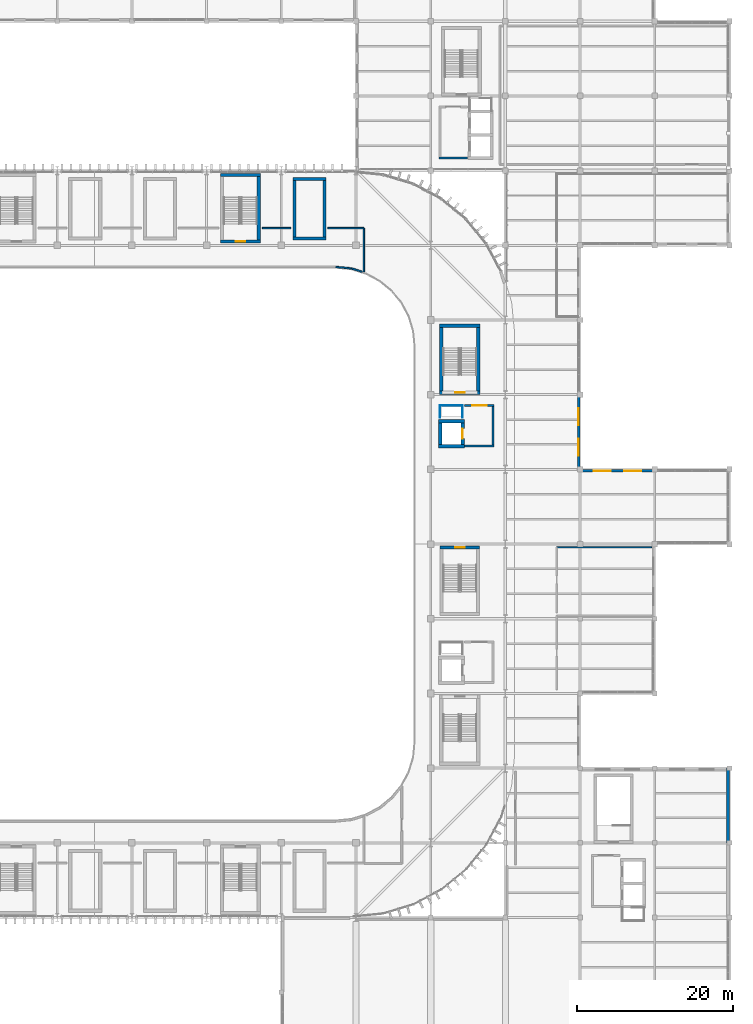
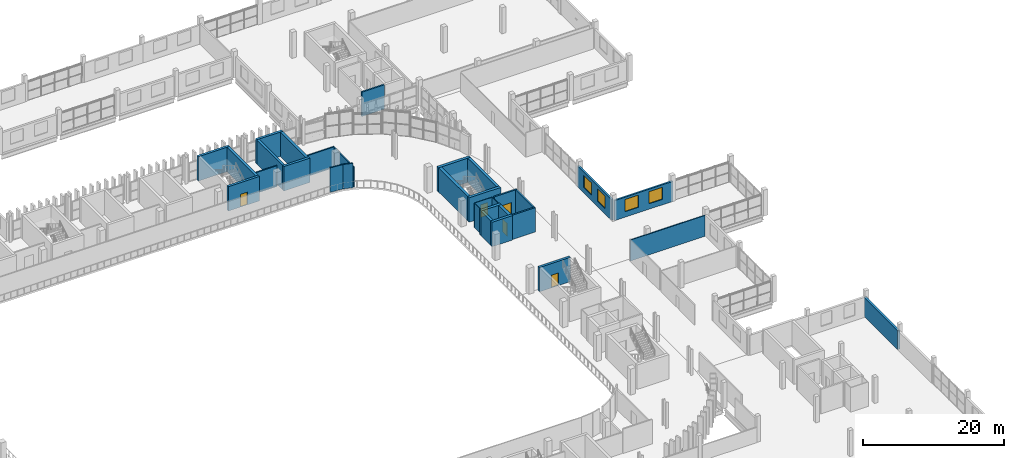
# One storey, part 62 of 92: 32 walls, 5 doors, 4 windows, 9 openings.
"""IFC4 building model written with IfcOpenShell, lengths in metres."""

from ifc_helpers import new_model, si_unit, direction, frame, frame_2d, origin, place, context, subcontext, project, spatial, rectangle, extrude, material, layer, layer_set, type_object, element, fill, save


model = new_model("IFC4")

# Units and contexts
model_context = context("Model", 3, precision=1e-05, world=origin(), true_north=direction((0.0, 1.0)))
body_context = subcontext(model_context, "Body", "Model", "MODEL_VIEW")
ifc_project = project(units=[si_unit("LENGTHUNIT", "METRE"), si_unit("AREAUNIT", "SQUARE_METRE"), si_unit("VOLUMEUNIT", "CUBIC_METRE"), si_unit("PLANEANGLEUNIT", "RADIAN"), si_unit("MASSUNIT", "GRAM", prefix="KILO")], contexts=[model_context])

# Site, building, storey
site_placement = place(None, origin())
site = spatial("IfcSite", under=ifc_project, at=site_placement, CompositionType="ELEMENT")
building_placement = place(site_placement, origin())
building = spatial("IfcBuilding", under=site, at=building_placement, Name="Caelomonte Colonnade Arena", CompositionType="ELEMENT")
storey_placement = place(building_placement, frame((0.0, 0.0, 9.60009765625)))
storey = spatial("IfcBuildingStorey", under=building, at=storey_placement, Name="L02", CompositionType="ELEMENT", Elevation=9.60009765625)

# Wall, openings, windows
ifc_material_1 = material(Name="Precast concrete C40/50", Category="concrete")
ifc_layer_1 = layer(ifc_material_1, 0.2900390625)
ifc_layer_set_1 = layer_set([ifc_layer_1], Name="Precast concrete C40/50")
wall_type_1 = type_object("IfcWallType", Name="ENV-WL-EXT29", PredefinedType="SOLIDWALL", material=ifc_layer_set_1)
wall_1_placement = place(storey_placement, frame((182.39990234375, 76.6201171875, 0.0), z_axis=(0.0, 0.0, 1.0), x_axis=(-1.0, 0.0, 0.0)))
wall_1 = element("IfcWall", 1, at=wall_1_placement, inside=storey, type_object=wall_type_1, Name="L02 exterior wall EW-L02-0252", PredefinedType="SOLIDWALL", context=body_context, shape_type="SweptSolid", body=[
    extrude(rectangle(XDim=9.599853515625, YDim=0.2900390625, at=frame_2d((4.7998046875, 0.0))), origin(), (0.0, 0.0, 1.0), 3.465576171875),
])
opening_1_placement = place(wall_1_placement, frame((3.933349609375, 0.0, 0.949951171875), z_axis=(0.0, 0.0, 1.0), x_axis=(-1.0, 0.0, 0.0)))
opening_1 = element("IfcOpeningElement", 2, at=opening_1_placement, cuts=wall_1, Name="Opening WN-05", PredefinedType="OPENING", context=body_context, shape_type="SweptSolid", body=[
    extrude(rectangle(XDim=2.199951171875, YDim=2.10009765625, at=frame_2d((1.10009765625, 1.050048828125))), frame((0.0, 0.155029296875, 0.0), z_axis=(0.0, -1.0, 0.0), x_axis=(1.0, 0.0, 0.0)), (0.0, 0.0, 1.0), 0.31005859375),
])
opening_2_placement = place(wall_1_placement, frame((7.86669921875, 0.0, 0.949951171875), z_axis=(0.0, 0.0, 1.0), x_axis=(-1.0, 0.0, 0.0)))
opening_2 = element("IfcOpeningElement", 3, at=opening_2_placement, cuts=wall_1, Name="Opening WN-05", PredefinedType="OPENING", context=body_context, shape_type="SweptSolid", body=[
    extrude(rectangle(XDim=2.199951171875, YDim=2.10009765625, at=frame_2d((1.10009765625, 1.050048828125))), frame((0.0, 0.155029296875, 0.0), z_axis=(0.0, -1.0, 0.0), x_axis=(1.0, 0.0, 0.0)), (0.0, 0.0, 1.0), 0.31005859375),
])
ifc_material_2 = material(Name="Solar-control bronze low-E double glazing", Category="glass")
window_type = type_object("IfcWindowType", Name="ENV-WN-V4B", PartitioningType="DOUBLE_PANEL_VERTICAL", PredefinedType="WINDOW", material=ifc_material_2)
window_1_placement = place(opening_1_placement, origin())
window_1 = element("IfcWindow", 4, at=window_1_placement, inside=storey, type_object=window_type, Name="L02 facade window 170", OverallHeight=2.10009765625, OverallWidth=2.199951171875, PartitioningType="SINGLE_PANEL", PredefinedType="WINDOW", context=body_context, shape_type="SweptSolid", body=[
    extrude(rectangle(XDim=2.199951171875, YDim=2.10009765625, at=frame_2d((1.10009765625, 1.050048828125))), frame((0.0, 0.030029296875, 0.0), z_axis=(0.0, -1.0, 0.0), x_axis=(1.0, 0.0, 0.0)), (0.0, 0.0, 1.0), 0.06005859375),
])
fill(opening_1, window_1)
window_2_placement = place(opening_2_placement, origin())
window_2 = element("IfcWindow", 5, at=window_2_placement, inside=storey, type_object=window_type, Name="L02 facade window 171", OverallHeight=2.10009765625, OverallWidth=2.199951171875, PartitioningType="SINGLE_PANEL", PredefinedType="WINDOW", context=body_context, shape_type="SweptSolid", body=[
    extrude(rectangle(XDim=2.199951171875, YDim=2.10009765625, at=frame_2d((1.10009765625, 1.050048828125))), frame((0.0, 0.030029296875, 0.0), z_axis=(0.0, -1.0, 0.0), x_axis=(1.0, 0.0, 0.0)), (0.0, 0.0, 1.0), 0.06005859375),
])
fill(opening_2, window_2)

wall_2_placement = place(storey_placement, frame((172.6201171875, 76.800048828125, 0.0), z_axis=(0.0, 0.0, 1.0), x_axis=(0.0, 1.0, 0.0)))
wall_2 = element("IfcWall", 6, at=wall_2_placement, inside=storey, type_object=wall_type_1, Name="L02 exterior wall EW-L02-0253", PredefinedType="SOLIDWALL", context=body_context, shape_type="SweptSolid", body=[
    extrude(rectangle(XDim=9.599853515625, YDim=0.2900390625, at=frame_2d((4.7998046875, 0.0))), origin(), (0.0, 0.0, 1.0), 3.61279296875),
])
opening_3_placement = place(wall_2_placement, frame((3.933349609375, 0.0, 0.949951171875), z_axis=(0.0, 0.0, 1.0), x_axis=(-1.0, 0.0, 0.0)))
opening_3 = element("IfcOpeningElement", 7, at=opening_3_placement, cuts=wall_2, Name="Opening WN-05", PredefinedType="OPENING", context=body_context, shape_type="SweptSolid", body=[
    extrude(rectangle(XDim=2.199951171875, YDim=2.10009765625, at=frame_2d((1.10009765625, 1.050048828125))), frame((0.0, 0.155029296875, 0.0), z_axis=(0.0, -1.0, 0.0), x_axis=(1.0, 0.0, 0.0)), (0.0, 0.0, 1.0), 0.31005859375),
])
opening_4_placement = place(wall_2_placement, frame((7.86669921875, 0.0, 0.949951171875), z_axis=(0.0, 0.0, 1.0), x_axis=(-1.0, 0.0, 0.0)))
opening_4 = element("IfcOpeningElement", 8, at=opening_4_placement, cuts=wall_2, Name="Opening WN-05", PredefinedType="OPENING", context=body_context, shape_type="SweptSolid", body=[
    extrude(rectangle(XDim=2.199951171875, YDim=2.10009765625, at=frame_2d((1.10009765625, 1.050048828125))), frame((0.0, 0.155029296875, 0.0), z_axis=(0.0, -1.0, 0.0), x_axis=(1.0, 0.0, 0.0)), (0.0, 0.0, 1.0), 0.31005859375),
])
window_3_placement = place(opening_3_placement, origin())
window_3 = element("IfcWindow", 9, at=window_3_placement, inside=storey, type_object=window_type, Name="L02 facade window 172", OverallHeight=2.10009765625, OverallWidth=2.199951171875, PartitioningType="SINGLE_PANEL", PredefinedType="WINDOW", context=body_context, shape_type="SweptSolid", body=[
    extrude(rectangle(XDim=2.199951171875, YDim=2.10009765625, at=frame_2d((1.10009765625, 1.050048828125))), frame((0.0, 0.030029296875, 0.0), z_axis=(0.0, -1.0, 0.0), x_axis=(1.0, 0.0, 0.0)), (0.0, 0.0, 1.0), 0.06005859375),
])
fill(opening_3, window_3)
window_4_placement = place(opening_4_placement, origin())
window_4 = element("IfcWindow", 10, at=window_4_placement, inside=storey, type_object=window_type, Name="L02 facade window 173", OverallHeight=2.10009765625, OverallWidth=2.199951171875, PartitioningType="SINGLE_PANEL", PredefinedType="WINDOW", context=body_context, shape_type="SweptSolid", body=[
    extrude(rectangle(XDim=2.199951171875, YDim=2.10009765625, at=frame_2d((1.10009765625, 1.050048828125))), frame((0.0, 0.030029296875, 0.0), z_axis=(0.0, -1.0, 0.0), x_axis=(1.0, 0.0, 0.0)), (0.0, 0.0, 1.0), 0.06005859375),
])
fill(opening_4, window_4)

# Walls
ifc_layer_2 = layer(ifc_material_1, 0.360107421875)
ifc_layer_set_2 = layer_set([ifc_layer_2], Name="Precast concrete C40/50")
wall_type_2 = type_object("IfcWallType", Name="ENV-WL-EXT36", PredefinedType="SOLIDWALL", material=ifc_layer_set_2)
wall_3_placement = place(storey_placement, frame((191.820068359375, 28.800048828125, 0.0), z_axis=(0.0, 0.0, 1.0), x_axis=(0.0, 1.0, 0.0)))
element("IfcWall", 11, at=wall_3_placement, inside=storey, type_object=wall_type_2, Name="L02 exterior wall EW-L02-0247", PredefinedType="SOLIDWALL", context=body_context, shape_type="SweptSolid", body=[
    extrude(rectangle(XDim=9.599853515625, YDim=0.360107421875, at=frame_2d((4.7998046875, 0.0))), origin(), (0.0, 0.0, 1.0), 3.29296875),
])
ifc_material_3 = material(Name="Concrete C40/50", Category="concrete")
ifc_layer_3 = layer(ifc_material_3, 0.260009765625)
ifc_layer_set_3 = layer_set([ifc_layer_3], Name="Concrete C40/50")
wall_type_3 = type_object("IfcWallType", Name="INT-WL-FW26", PredefinedType="SOLIDWALL", material=ifc_layer_set_3)
wall_4_placement = place(storey_placement, frame((157.969970703125, 79.800048828125, 0.0), z_axis=(0.0, 0.0, 1.0), x_axis=(1.0, 0.0, 0.0)))
element("IfcWall", 12, at=wall_4_placement, inside=storey, type_object=wall_type_3, Name="FW-C3-LB L02 south enclosure wall", PredefinedType="SOLIDWALL", context=body_context, shape_type="SweptSolid", body=[
    extrude(rectangle(XDim=3.760009765625, YDim=0.260009765625, at=frame_2d((1.8798828125, 0.0))), origin(), (0.0, 0.0, 1.0), 4.219970703125),
])

# Wall, opening, door
wall_5_placement = place(storey_placement, frame((161.72998046875, 85.0, 0.0), z_axis=(0.0, 0.0, 1.0), x_axis=(-1.0, 0.0, 0.0)))
wall_5 = element("IfcWall", 13, at=wall_5_placement, inside=storey, type_object=wall_type_3, Name="FW-C3-LB L02 north enclosure wall", PredefinedType="SOLIDWALL", context=body_context, shape_type="SweptSolid", body=[
    extrude(rectangle(XDim=3.760009765625, YDim=0.260009765625, at=frame_2d((1.8798828125, 0.0))), origin(), (0.0, 0.0, 1.0), 4.219970703125),
])
opening_5_placement = place(wall_5_placement, frame((2.80517578125, 0.0, 0.0), z_axis=(0.0, 0.0, 1.0), x_axis=(-1.0, 0.0, 0.0)))
opening_5 = element("IfcOpeningElement", 14, at=opening_5_placement, cuts=wall_5, Name="Opening FD-2", PredefinedType="OPENING", context=body_context, shape_type="SweptSolid", body=[
    extrude(rectangle(XDim=1.85009765625, YDim=2.25, at=frame_2d((0.925048828125, 1.125))), frame((0.0, 0.139892578125, 0.0), z_axis=(0.0, -1.0, 0.0), x_axis=(1.0, 0.0, 0.0)), (0.0, 0.0, 1.0), 0.280029296875),
])
ifc_material_4 = material(Name="Fire-rated double steel door", Category="steel")
door_type_1 = type_object("IfcDoorType", Name="INT-DR-FD90B", OperationType="DOUBLE_DOOR_SINGLE_SWING", PredefinedType="DOOR", material=ifc_material_4)
door_1_placement = place(opening_5_placement, origin())
door_1 = element("IfcDoor", 15, at=door_1_placement, inside=storey, type_object=door_type_1, Name="Core C3 L02 lobby fire door", OperationType="DOUBLE_DOOR_SINGLE_SWING", OverallHeight=2.25, OverallWidth=1.85009765625, PredefinedType="DOOR", context=body_context, shape_type="SweptSolid", body=[
    extrude(rectangle(XDim=1.85009765625, YDim=2.25, at=frame_2d((0.925048828125, 1.125))), frame((0.0, 0.02490234375, 0.0), z_axis=(0.0, -1.0, 0.0), x_axis=(1.0, 0.0, 0.0)), (0.0, 0.0, 1.0), 0.050048828125),
])
fill(opening_5, door_1)

# Walls
wall_6_placement = place(storey_placement, frame((161.60009765625, 79.929931640625, 0.0), z_axis=(0.0, 0.0, 1.0), x_axis=(0.0, 1.0, 0.0)))
element("IfcWall", 16, at=wall_6_placement, inside=storey, type_object=wall_type_3, Name="FW-C3-LB L02 east enclosure wall", PredefinedType="SOLIDWALL", context=body_context, shape_type="SweptSolid", body=[
    extrude(rectangle(XDim=4.940185546875, YDim=0.260009765625, at=frame_2d((2.47021484375, 0.0))), origin(), (0.0, 0.0, 1.0), 4.219970703125),
])
wall_7_placement = place(storey_placement, frame((154.669921875, 116.800048828125, 0.0), z_axis=(0.0, 0.0, 1.0), x_axis=(1.0, 0.0, 0.0)))
element("IfcWall", 17, at=wall_7_placement, inside=storey, type_object=wall_type_3, Name="FW-C6-LB L02 south enclosure wall", PredefinedType="SOLIDWALL", context=body_context, shape_type="SweptSolid", body=[
    extrude(rectangle(XDim=3.66015625, YDim=0.260009765625, at=frame_2d((1.830078125, 0.0))), origin(), (0.0, 0.0, 1.0), 4.219970703125),
])
ifc_material_5 = material(Name="Service shaft lining partition")
ifc_layer_4 = layer(ifc_material_5, 0.10009765625)
ifc_layer_set_4 = layer_set([ifc_layer_4], Name="Service shaft lining partition")
wall_type_4 = type_object("IfcWallType", Name="INT-WL-PT10", PredefinedType="PARTITIONING", material=ifc_layer_set_4)
wall_8_placement = place(storey_placement, frame((157.75, 85.0, 0.0), z_axis=(0.0, 0.0, 1.0), x_axis=(-1.0, 0.0, 0.0)))
element("IfcWall", 18, at=wall_8_placement, inside=storey, type_object=wall_type_4, Name="FW-C3-RS L02 north enclosure wall", PredefinedType="PARTITIONING", context=body_context, shape_type="SweptSolid", body=[
    extrude(rectangle(XDim=3.0, YDim=0.10009765625, at=frame_2d((1.5, 0.0))), origin(), (0.0, 0.0, 1.0), 4.219970703125),
])
for number, where, z_axis, x_axis, name in (
    (19, (154.800048828125, 84.949951171875, 0.0), (0.0, 0.0, 1.0), (0.0, -1.0, 0.0), "FW-C3-RS L02 west enclosure wall"),
    (20, (157.699951171875, 83.449951171875, 0.0), (0.0, 0.0, 1.0), (0.0, 1.0, 0.0), "FW-C3-RS L02 east enclosure wall"),
):
    element("IfcWall", number, at=place(storey_placement, frame(where, z_axis=z_axis, x_axis=x_axis)), inside=storey, type_object=wall_type_4, Name=name, PredefinedType="PARTITIONING", context=body_context, shape_type="SweptSolid", body=[
        extrude(rectangle(XDim=1.5, YDim=0.10009765625, at=frame_2d((0.75, 0.0))), origin(), (0.0, 0.0, 1.0), 4.219970703125),
    ])
ifc_material_6 = material(Name="Moisture-resistant WC partition")
ifc_layer_5 = layer(ifc_material_6, 0.159912109375)
ifc_layer_set_5 = layer_set([ifc_layer_5], Name="Moisture-resistant WC partition")
wall_type_5 = type_object("IfcWallType", Name="INT-WL-PT16", PredefinedType="PARTITIONING", material=ifc_layer_set_5)
wall_9_placement = place(storey_placement, frame((169.800048828125, 66.800048828125, 0.0), z_axis=(0.0, 0.0, 1.0), x_axis=(1.0, 0.0, 0.0)))
element("IfcWall", 21, at=wall_9_placement, inside=storey, type_object=wall_type_5, Name="L02 Club Level Accessible WC partition 194", PredefinedType="PARTITIONING", context=body_context, shape_type="SweptSolid", body=[
    extrude(rectangle(XDim=12.199951171875, YDim=0.159912109375, at=frame_2d((6.10009765625, 0.0))), origin(), (0.0, 0.0, 1.0), 3.61279296875),
])
ifc_material_7 = material(Name="Fire-rated gypsum stud partition")
ifc_layer_6 = layer(ifc_material_7, 0.199951171875)
ifc_layer_set_6 = layer_set([ifc_layer_6], Name="Fire-rated gypsum stud partition")
wall_type_6 = type_object("IfcWallType", Name="INT-WL-PT20", PredefinedType="PARTITIONING", material=ifc_layer_set_6)
wall_10_placement = place(storey_placement, frame((131.949951171875, 107.800048828125, 0.0), z_axis=(0.0, 0.0, 1.0), x_axis=(1.0, 0.0, 0.0)))
element("IfcWall", 22, at=wall_10_placement, inside=storey, type_object=wall_type_6, Name="L02 Club Lounge North partition 167", PredefinedType="PARTITIONING", context=body_context, shape_type="SweptSolid", body=[
    extrude(rectangle(XDim=3.670166015625, YDim=0.199951171875, at=frame_2d((1.8349609375, 0.0))), origin(), (0.0, 0.0, 1.0), 3.61279296875),
])
wall_11_placement = place(storey_placement, frame((140.3798828125, 107.800048828125, 0.0), z_axis=(0.0, 0.0, 1.0), x_axis=(1.0, 0.0, 0.0)))
element("IfcWall", 23, at=wall_11_placement, inside=storey, type_object=wall_type_6, Name="L02 Club Lounge North partition 168", PredefinedType="PARTITIONING", context=body_context, shape_type="SweptSolid", body=[
    extrude(rectangle(XDim=4.6201171875, YDim=0.199951171875, at=frame_2d((2.31005859375, 0.0))), origin(), (0.0, 0.0, 1.0), 3.61279296875),
])
wall_12_placement = place(storey_placement, frame((145.0, 107.800048828125, 0.0), z_axis=(0.0, 0.0, 1.0), x_axis=(0.0, -1.0, 0.0)))
element("IfcWall", 24, at=wall_12_placement, inside=storey, type_object=wall_type_6, Name="L02 Club Lounge North partition 169", PredefinedType="PARTITIONING", context=body_context, shape_type="SweptSolid", body=[
    extrude(rectangle(XDim=5.60009765625, YDim=0.199951171875, at=frame_2d((2.800048828125, 0.0))), origin(), (0.0, 0.0, 1.0), 3.465576171875),
])
wall_13_placement = place(storey_placement, frame((144.7939453125, 102.199951171875, 0.0), z_axis=(0.0, 0.0, 1.0), x_axis=(-0.956921766266, 0.290345885534, 0.0)))
element("IfcWall", 25, at=wall_13_placement, inside=storey, type_object=wall_type_6, Name="L02 Club Lounge North partition 170", PredefinedType="PARTITIONING", context=body_context, shape_type="SweptSolid", body=[
    extrude(rectangle(XDim=1.441162109375, YDim=0.199951171875, at=frame_2d((0.720703125, 0.0))), origin(), (0.0, 0.0, 1.0), 4.219970703125),
])
wall_14_placement = place(storey_placement, frame((143.37255859375, 102.626708984375, 0.0), z_axis=(0.0, 0.0, 1.0), x_axis=(-0.995185270943, 0.098011614095, 0.0)))
element("IfcWall", 26, at=wall_14_placement, inside=storey, type_object=wall_type_6, Name="L02 Club Lounge North partition 171", PredefinedType="PARTITIONING", context=body_context, shape_type="SweptSolid", body=[
    extrude(rectangle(XDim=1.96044921875, YDim=0.199951171875, at=frame_2d((0.980224609375, 0.0))), origin(), (0.0, 0.0, 1.0), 4.219970703125),
])

# Wall, opening, door
ifc_material_8 = material(Name="Concrete C50/60", Category="concrete")
ifc_layer_7 = layer(ifc_material_8, 0.39990234375)
ifc_layer_set_7 = layer_set([ifc_layer_7], Name="Concrete C50/60")
wall_type_7 = type_object("IfcWallType", Name="INT-WL-SH40", PredefinedType="SHEAR", material=ifc_layer_set_7)
wall_15_placement = place(storey_placement, frame((159.89990234375, 66.75, 0.0), z_axis=(0.0, 0.0, 1.0), x_axis=(-1.0, 0.0, 0.0)))
wall_15 = element("IfcWall", 27, at=wall_15_placement, inside=storey, type_object=wall_type_7, Name="CW-ST-10 L02 north enclosure wall", PredefinedType="SHEAR", context=body_context, shape_type="SweptSolid", body=[
    extrude(rectangle(XDim=5.099853515625, YDim=0.39990234375, at=frame_2d((2.5498046875, 0.0))), origin(), (0.0, 0.0, 1.0), 4.219970703125),
])
opening_6_placement = place(wall_15_placement, frame((3.14990234375, 0.0, 0.0), z_axis=(0.0, 0.0, 1.0), x_axis=(-1.0, 0.0, 0.0)))
opening_6 = element("IfcOpeningElement", 28, at=opening_6_placement, cuts=wall_15, Name="Opening FD-1", PredefinedType="OPENING", context=body_context, shape_type="SweptSolid", body=[
    extrude(rectangle(XDim=1.199951171875, YDim=2.199951171875, at=frame_2d((0.60009765625, 1.10009765625))), frame((0.0, 0.2099609375, 0.0), z_axis=(0.0, -1.0, 0.0), x_axis=(1.0, 0.0, 0.0)), (0.0, 0.0, 1.0), 0.419921875),
])
ifc_material_9 = material(Name="Fire-rated steel door", Category="steel")
door_type_2 = type_object("IfcDoorType", Name="INT-DR-FD90A", OperationType="NOTDEFINED", PredefinedType="DOOR", material=ifc_material_9)
door_2_placement = place(opening_6_placement, origin())
door_2 = element("IfcDoor", 29, at=door_2_placement, inside=storey, type_object=door_type_2, Name="Protected exit stair ST-10 L02 fire door", OperationType="SINGLE_SWING_RIGHT", OverallHeight=2.199951171875, OverallWidth=1.199951171875, PredefinedType="DOOR", context=body_context, shape_type="SweptSolid", body=[
    extrude(rectangle(XDim=1.199951171875, YDim=2.199951171875, at=frame_2d((0.60009765625, 1.10009765625))), frame((0.0, 0.02490234375, 0.0), z_axis=(0.0, -1.0, 0.0), x_axis=(1.0, 0.0, 0.0)), (0.0, 0.0, 1.0), 0.050048828125),
])
fill(opening_6, door_2)

wall_16_placement = place(storey_placement, frame((126.60009765625, 106.10009765625, 0.0), z_axis=(0.0, 0.0, 1.0), x_axis=(1.0, 0.0, 0.0)))
wall_16 = element("IfcWall", 30, at=wall_16_placement, inside=storey, type_object=wall_type_7, Name="CW-ST-16 L02 south enclosure wall", PredefinedType="SHEAR", context=body_context, shape_type="SweptSolid", body=[
    extrude(rectangle(XDim=5.099853515625, YDim=0.39990234375, at=frame_2d((2.5498046875, 0.0))), origin(), (0.0, 0.0, 1.0), 4.219970703125),
])
opening_7_placement = place(wall_16_placement, frame((3.14990234375, 0.0, 0.0), z_axis=(0.0, 0.0, 1.0), x_axis=(-1.0, 0.0, 0.0)))
opening_7 = element("IfcOpeningElement", 31, at=opening_7_placement, cuts=wall_16, Name="Opening FD-1", PredefinedType="OPENING", context=body_context, shape_type="SweptSolid", body=[
    extrude(rectangle(XDim=1.199951171875, YDim=2.199951171875, at=frame_2d((0.60009765625, 1.10009765625))), frame((0.0, 0.2099609375, 0.0), z_axis=(0.0, -1.0, 0.0), x_axis=(1.0, 0.0, 0.0)), (0.0, 0.0, 1.0), 0.419921875),
])
door_3_placement = place(opening_7_placement, origin())
door_3 = element("IfcDoor", 32, at=door_3_placement, inside=storey, type_object=door_type_2, Name="Protected exit stair ST-16 L02 fire door", OperationType="SINGLE_SWING_RIGHT", OverallHeight=2.199951171875, OverallWidth=1.199951171875, PredefinedType="DOOR", context=body_context, shape_type="SweptSolid", body=[
    extrude(rectangle(XDim=1.199951171875, YDim=2.199951171875, at=frame_2d((0.60009765625, 1.10009765625))), frame((0.0, 0.02490234375, 0.0), z_axis=(0.0, -1.0, 0.0), x_axis=(1.0, 0.0, 0.0)), (0.0, 0.0, 1.0), 0.050048828125),
])
fill(opening_7, door_3)

# Walls
wall_17_placement = place(storey_placement, frame((131.699951171875, 114.64990234375, 0.0), z_axis=(0.0, 0.0, 1.0), x_axis=(-1.0, 0.0, 0.0)))
element("IfcWall", 33, at=wall_17_placement, inside=storey, type_object=wall_type_7, Name="CW-ST-16 L02 north enclosure wall", PredefinedType="SHEAR", context=body_context, shape_type="SweptSolid", body=[
    extrude(rectangle(XDim=5.099853515625, YDim=0.39990234375, at=frame_2d((2.5498046875, 0.0))), origin(), (0.0, 0.0, 1.0), 4.219970703125),
])
wall_18_placement = place(storey_placement, frame((131.5, 106.300048828125, 0.0), z_axis=(0.0, 0.0, 1.0), x_axis=(0.0, 1.0, 0.0)))
element("IfcWall", 34, at=wall_18_placement, inside=storey, type_object=wall_type_7, Name="CW-ST-16 L02 east enclosure wall", PredefinedType="SHEAR", context=body_context, shape_type="SweptSolid", body=[
    extrude(rectangle(XDim=8.14990234375, YDim=0.39990234375, at=frame_2d((4.074951171875, 0.0))), origin(), (0.0, 0.0, 1.0), 4.219970703125),
])
for number, where, z_axis, x_axis, name in (
    (35, (135.8701171875, 106.469970703125, 0.0), (0.0, 0.0, 1.0), (1.0, 0.0, 0.0), "CW-ST-V16 L02 south enclosure wall"),
    (36, (140.1298828125, 114.1298828125, 0.0), (0.0, 0.0, 1.0), (-1.0, 0.0, 0.0), "CW-ST-V16 L02 north enclosure wall"),
):
    element("IfcWall", number, at=place(storey_placement, frame(where, z_axis=z_axis, x_axis=x_axis)), inside=storey, type_object=wall_type_7, Name=name, PredefinedType="SHEAR", context=body_context, shape_type="SweptSolid", body=[
        extrude(rectangle(XDim=4.259765625, YDim=0.39990234375, at=frame_2d((2.1298828125, 0.0))), origin(), (0.0, 0.0, 1.0), 4.219970703125),
    ])
for number, where, z_axis, x_axis, name in (
    (37, (136.070068359375, 113.929931640625, 0.0), (0.0, 0.0, 1.0), (0.0, -1.0, 0.0), "CW-ST-V16 L02 west enclosure wall"),
    (38, (139.929931640625, 106.669921875, 0.0), (0.0, 0.0, 1.0), (0.0, 1.0, 0.0), "CW-ST-V16 L02 east enclosure wall"),
):
    element("IfcWall", number, at=place(storey_placement, frame(where, z_axis=z_axis, x_axis=x_axis)), inside=storey, type_object=wall_type_7, Name=name, PredefinedType="SHEAR", context=body_context, shape_type="SweptSolid", body=[
        extrude(rectangle(XDim=7.260009765625, YDim=0.39990234375, at=frame_2d((3.6298828125, 0.0))), origin(), (0.0, 0.0, 1.0), 4.219970703125),
    ])

# Wall, opening, door
ifc_layer_8 = layer(ifc_material_8, 0.449951171875)
ifc_layer_set_8 = layer_set([ifc_layer_8], Name="Concrete C50/60")
wall_type_8 = type_object("IfcWallType", Name="INT-WL-SH45", PredefinedType="SHEAR", material=ifc_layer_set_8)
wall_19_placement = place(storey_placement, frame((154.75, 86.675048828125, 0.0), z_axis=(0.0, 0.0, 1.0), x_axis=(1.0, 0.0, 0.0)))
wall_19 = element("IfcWall", 39, at=wall_19_placement, inside=storey, type_object=wall_type_8, Name="CW-C3-ST L02 south enclosure wall", PredefinedType="SHEAR", context=body_context, shape_type="SweptSolid", body=[
    extrude(rectangle(XDim=5.199951171875, YDim=0.449951171875, at=frame_2d((2.60009765625, 0.0))), origin(), (0.0, 0.0, 1.0), 4.219970703125),
])
opening_8_placement = place(wall_19_placement, frame((3.199951171875, 0.0, 0.0), z_axis=(0.0, 0.0, 1.0), x_axis=(-1.0, 0.0, 0.0)))
opening_8 = element("IfcOpeningElement", 40, at=opening_8_placement, cuts=wall_19, Name="Opening FD-1", PredefinedType="OPENING", context=body_context, shape_type="SweptSolid", body=[
    extrude(rectangle(XDim=1.199951171875, YDim=2.199951171875, at=frame_2d((0.60009765625, 1.10009765625))), frame((0.0, 0.23486328125, 0.0), z_axis=(0.0, -1.0, 0.0), x_axis=(1.0, 0.0, 0.0)), (0.0, 0.0, 1.0), 0.469970703125),
])
door_4_placement = place(opening_8_placement, origin())
door_4 = element("IfcDoor", 41, at=door_4_placement, inside=storey, type_object=door_type_2, Name="Core C3 L02 exit stair fire door", OperationType="SINGLE_SWING_RIGHT", OverallHeight=2.199951171875, OverallWidth=1.199951171875, PredefinedType="DOOR", context=body_context, shape_type="SweptSolid", body=[
    extrude(rectangle(XDim=1.199951171875, YDim=2.199951171875, at=frame_2d((0.60009765625, 1.10009765625))), frame((0.0, 0.02490234375, 0.0), z_axis=(0.0, -1.0, 0.0), x_axis=(1.0, 0.0, 0.0)), (0.0, 0.0, 1.0), 0.050048828125),
])
fill(opening_8, door_4)

# Walls
wall_20_placement = place(storey_placement, frame((159.949951171875, 95.27490234375, 0.0), z_axis=(0.0, 0.0, 1.0), x_axis=(-1.0, 0.0, 0.0)))
element("IfcWall", 42, at=wall_20_placement, inside=storey, type_object=wall_type_8, Name="CW-C3-ST L02 north enclosure wall", PredefinedType="SHEAR", context=body_context, shape_type="SweptSolid", body=[
    extrude(rectangle(XDim=5.199951171875, YDim=0.449951171875, at=frame_2d((2.60009765625, 0.0))), origin(), (0.0, 0.0, 1.0), 4.219970703125),
])
for number, where, z_axis, x_axis, name in (
    (43, (154.97509765625, 95.050048828125, 0.0), (0.0, 0.0, 1.0), (0.0, -1.0, 0.0), "CW-C3-ST L02 west enclosure wall"),
    (44, (159.72509765625, 86.89990234375, 0.0), (0.0, 0.0, 1.0), (0.0, 1.0, 0.0), "CW-C3-ST L02 east enclosure wall"),
):
    element("IfcWall", number, at=place(storey_placement, frame(where, z_axis=z_axis, x_axis=x_axis)), inside=storey, type_object=wall_type_8, Name=name, PredefinedType="SHEAR", context=body_context, shape_type="SweptSolid", body=[
        extrude(rectangle(XDim=8.150146484375, YDim=0.449951171875, at=frame_2d((4.0751953125, 0.0))), origin(), (0.0, 0.0, 1.0), 4.219970703125),
    ])
for number, where, z_axis, x_axis, name in (
    (45, (154.574951171875, 79.800048828125, 0.0), (0.0, 0.0, 1.0), (1.0, 0.0, 0.0), "CW-C3-LF L02 south enclosure wall"),
    (46, (157.925048828125, 83.0, 0.0), (0.0, 0.0, 1.0), (-1.0, 0.0, 0.0), "CW-C3-LF L02 north enclosure wall"),
):
    element("IfcWall", number, at=place(storey_placement, frame(where, z_axis=z_axis, x_axis=x_axis)), inside=storey, type_object=wall_type_8, Name=name, PredefinedType="SHEAR", context=body_context, shape_type="SweptSolid", body=[
        extrude(rectangle(XDim=3.35009765625, YDim=0.449951171875, at=frame_2d((1.675048828125, 0.0))), origin(), (0.0, 0.0, 1.0), 4.219970703125),
    ])
wall_21_placement = place(storey_placement, frame((154.800048828125, 82.77490234375, 0.0), z_axis=(0.0, 0.0, 1.0), x_axis=(0.0, -1.0, 0.0)))
element("IfcWall", 47, at=wall_21_placement, inside=storey, type_object=wall_type_8, Name="CW-C3-LF L02 west enclosure wall", PredefinedType="SHEAR", context=body_context, shape_type="SweptSolid", body=[
    extrude(rectangle(XDim=2.75, YDim=0.449951171875, at=frame_2d((1.375, 0.0))), origin(), (0.0, 0.0, 1.0), 4.219970703125),
])

# Wall, opening, door
wall_22_placement = place(storey_placement, frame((157.699951171875, 80.02490234375, 0.0), z_axis=(0.0, 0.0, 1.0), x_axis=(0.0, 1.0, 0.0)))
wall_22 = element("IfcWall", 48, at=wall_22_placement, inside=storey, type_object=wall_type_8, Name="CW-C3-LF L02 east enclosure wall", PredefinedType="SHEAR", context=body_context, shape_type="SweptSolid", body=[
    extrude(rectangle(XDim=2.75, YDim=0.449951171875, at=frame_2d((1.375, 0.0))), origin(), (0.0, 0.0, 1.0), 4.219970703125),
])
opening_9_placement = place(wall_22_placement, frame((0.72509765625, 0.0, 0.0), z_axis=(0.0, 0.0, 1.0), x_axis=(1.0, 0.0, 0.0)))
opening_9 = element("IfcOpeningElement", 49, at=opening_9_placement, cuts=wall_22, Name="Opening LD-FL-03-L02", PredefinedType="OPENING", context=body_context, shape_type="SweptSolid", body=[
    extrude(rectangle(XDim=1.300048828125, YDim=2.25, at=frame_2d((0.64990234375, 1.125))), frame((0.0, 0.23486328125, 0.0), z_axis=(0.0, -1.0, 0.0), x_axis=(1.0, 0.0, 0.0)), (0.0, 0.0, 1.0), 0.469970703125),
])
ifc_material_10 = material(Name="Firefighting lift landing door")
door_type_3 = type_object("IfcDoorType", Name="INT-DR-LD2", OperationType="SLIDING_TO_RIGHT", PredefinedType="DOOR", material=ifc_material_10)
door_5_placement = place(opening_9_placement, origin())
door_5 = element("IfcDoor", 50, at=door_5_placement, inside=storey, type_object=door_type_3, Name="Lift FL-03 L02 sliding landing door", OperationType="SLIDING_TO_RIGHT", OverallHeight=2.25, OverallWidth=1.300048828125, PredefinedType="DOOR", context=body_context, shape_type="SweptSolid", body=[
    extrude(rectangle(XDim=1.300048828125, YDim=2.25, at=frame_2d((0.64990234375, 1.125))), frame((0.0, 0.02490234375, 0.0), z_axis=(0.0, -1.0, 0.0), x_axis=(1.0, 0.0, 0.0)), (0.0, 0.0, 1.0), 0.050048828125),
])
fill(opening_9, door_5)

save(model, "model.ifc")
